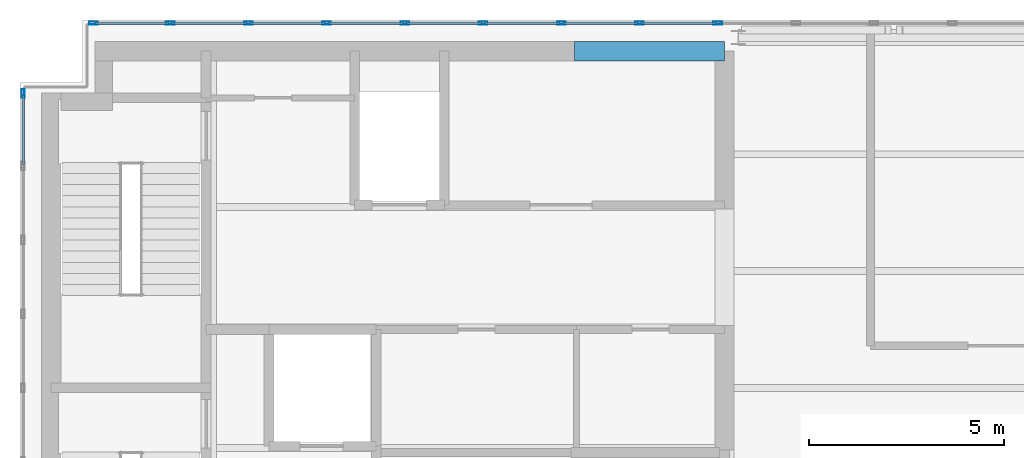
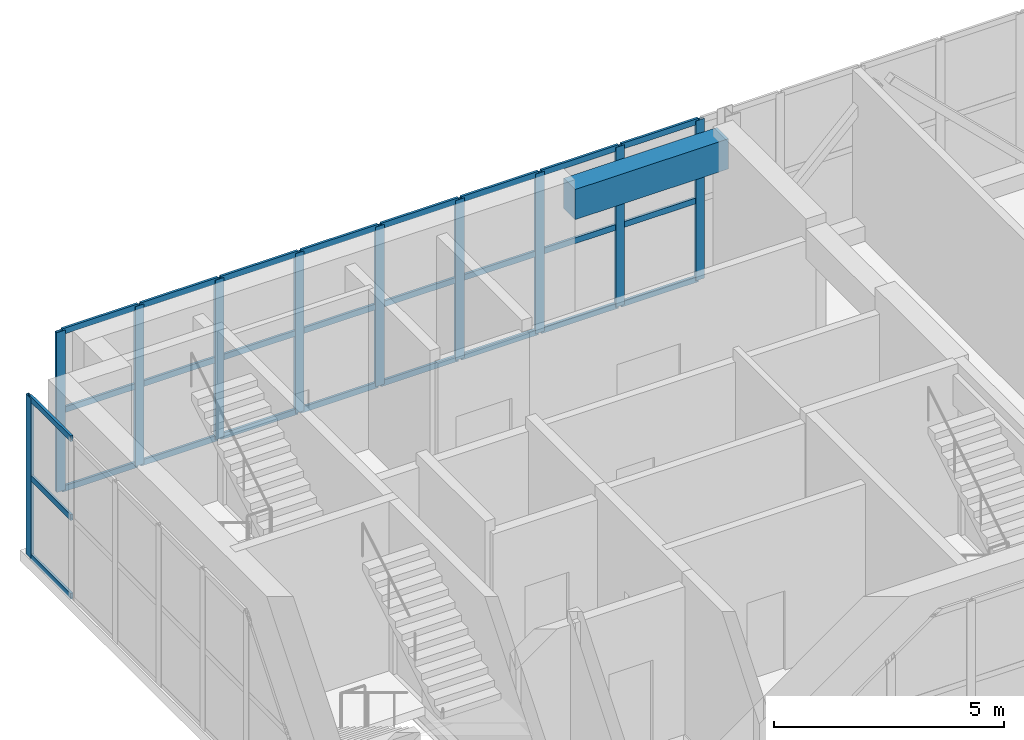
# One storey, part 10 of 21: 37 members, 1 beam, 2 elements without a shape of their own.
"""IFC4 building model written with IfcOpenShell, lengths in metres."""

from ifc_helpers import new_model, si_unit, direction, frame, origin, origin_2d, place, context, subcontext, project, spatial, rectangle, hollow_rectangle, extrude, material, layer, layer_set, material_profile, profile_set, type_object, element, aggregate, save


model = new_model("IFC4")

# Units and contexts
model_context = context("Model", 3, precision=1e-05, world=origin(), true_north=direction((0.0, 1.0)))
body_context = subcontext(model_context, "Body", "Model", "MODEL_VIEW")
ifc_project = project(units=[si_unit("LENGTHUNIT", "METRE"), si_unit("AREAUNIT", "SQUARE_METRE"), si_unit("VOLUMEUNIT", "CUBIC_METRE"), si_unit("PLANEANGLEUNIT", "RADIAN"), si_unit("MASSUNIT", "GRAM", prefix="KILO")], contexts=[model_context])

# Site, building, storey
site_placement = place(None, origin())
site = spatial("IfcSite", under=ifc_project, at=site_placement, CompositionType="ELEMENT")
building_placement = place(site_placement, origin())
building = spatial("IfcBuilding", under=site, at=building_placement, Name="Mawjdan Bourse Tower", CompositionType="ELEMENT")
storey_placement = place(building_placement, frame((0.0, 0.0, 317.699951171875)))
storey = spatial("IfcBuildingStorey", under=building, at=storey_placement, Name="L78", CompositionType="ELEMENT", Elevation=317.699951171875)

# Beam
ifc_material_1 = material(Name="Concrete C70/85", Category="concrete")
ifc_material_profile_1 = material_profile(ifc_material_1, rectangle(XDim=0.5, YDim=0.800048828125, at=origin_2d()), Name="RCB500X800")
ifc_profile_set_1 = profile_set([ifc_material_profile_1], Name="Concrete C70/85")
beam_type = type_object("IfcBeamType", Name="LNT-RCB500X800", PredefinedType="LINTEL", material=ifc_profile_set_1)
beam_placement = place(storey_placement, frame((19.800048828125, 20.64990234375, 3.840087890625), z_axis=(1.0, 0.0, 0.0), x_axis=(0.0, 1.0, 0.0)))
element("IfcBeam", 1, at=beam_placement, inside=storey, type_object=beam_type, Name="L78 Coupled Core Lintel CB-N1", PredefinedType="LINTEL", context=body_context, shape_type="SweptSolid", body=[
    extrude(rectangle(XDim=0.5, YDim=0.800048828125, at=origin_2d()), origin(), (0.0, 0.0, 1.0), 3.849853515625),
])

# Curtain wall, members
ifc_material_2 = material(Name="Thermally Broken Aluminium and Solar Glass", Category="aluminium")
ifc_layer = layer(ifc_material_2, 0.219970703125)
ifc_layer_set = layer_set([ifc_layer], Name="Thermally Broken Aluminium and Solar Glass")
curtain_wall_type = type_object("IfcCurtainWallType", Name="CW-CRN", PredefinedType="USERDEFINED", material=ifc_layer_set)
curtain_wall_1_placement = place(storey_placement, origin())
curtain_wall_1 = element("IfcCurtainWall", 2, at=curtain_wall_1_placement, inside=storey, type_object=curtain_wall_type, Name="L78 Lantern Crown North Curtain Wall", ObjectType="LANTERN GLAZED CROWN", PredefinedType="USERDEFINED")
ifc_material_3 = material(Name="Thermally Broken Anodised Aluminium", Category="aluminium")
ifc_material_profile_2 = material_profile(ifc_material_3, hollow_rectangle(XDim=0.074951171875, YDim=0.219970703125, WallThickness=0.0048828125, at=origin_2d()), Name="ALU-MUL-220X75")
ifc_profile_set_2 = profile_set([ifc_material_profile_2], Name="Thermally Broken Anodised Aluminium")
member_type_1 = type_object("IfcMemberType", Name="MUL-ALU-MUL-220X75", PredefinedType="MULLION", material=ifc_profile_set_2)
member_1_placement = place(storey_placement, frame((23.47607421875, 21.3701171875, 0.0), z_axis=(0.0, 0.0, 1.0), x_axis=(0.0, -1.0, 0.0)))
member_1 = element("IfcMember", 3, at=member_1_placement, type_object=member_type_1, Name="CW-CRN-L78-CRN-N mullion 14", PredefinedType="MULLION", context=body_context, shape_type="SweptSolid", body=[
    extrude(hollow_rectangle(XDim=0.074951171875, YDim=0.219970703125, WallThickness=0.0048828125, at=origin_2d()), origin(), (0.0, 0.0, 1.0), 4.239990234375),
])
member_2_placement = place(storey_placement, frame((21.466552734375, 21.3701171875, 0.0), z_axis=(0.0, 0.0, 1.0), x_axis=(0.0, -1.0, 0.0)))
member_2 = element("IfcMember", 4, at=member_2_placement, type_object=member_type_1, Name="CW-CRN-L78-CRN-N mullion 15", PredefinedType="MULLION", context=body_context, shape_type="SweptSolid", body=[
    extrude(hollow_rectangle(XDim=0.074951171875, YDim=0.219970703125, WallThickness=0.0048828125, at=origin_2d()), origin(), (0.0, 0.0, 1.0), 4.239990234375),
])
member_3_placement = place(storey_placement, frame((19.45703125, 21.3701171875, 0.0), z_axis=(0.0, 0.0, 1.0), x_axis=(0.0, -1.0, 0.0)))
member_3 = element("IfcMember", 5, at=member_3_placement, type_object=member_type_1, Name="CW-CRN-L78-CRN-N mullion 16", PredefinedType="MULLION", context=body_context, shape_type="SweptSolid", body=[
    extrude(hollow_rectangle(XDim=0.074951171875, YDim=0.219970703125, WallThickness=0.0048828125, at=origin_2d()), origin(), (0.0, 0.0, 1.0), 4.239990234375),
])
member_4_placement = place(storey_placement, frame((17.447509765625, 21.3701171875, 0.0), z_axis=(0.0, 0.0, 1.0), x_axis=(0.0, -1.0, 0.0)))
member_4 = element("IfcMember", 6, at=member_4_placement, type_object=member_type_1, Name="CW-CRN-L78-CRN-N mullion 17", PredefinedType="MULLION", context=body_context, shape_type="SweptSolid", body=[
    extrude(hollow_rectangle(XDim=0.074951171875, YDim=0.219970703125, WallThickness=0.0048828125, at=origin_2d()), origin(), (0.0, 0.0, 1.0), 4.239990234375),
])
member_5_placement = place(storey_placement, frame((15.43798828125, 21.3701171875, 0.0), z_axis=(0.0, 0.0, 1.0), x_axis=(0.0, -1.0, 0.0)))
member_5 = element("IfcMember", 7, at=member_5_placement, type_object=member_type_1, Name="CW-CRN-L78-CRN-N mullion 18", PredefinedType="MULLION", context=body_context, shape_type="SweptSolid", body=[
    extrude(hollow_rectangle(XDim=0.074951171875, YDim=0.219970703125, WallThickness=0.0048828125, at=origin_2d()), origin(), (0.0, 0.0, 1.0), 4.239990234375),
])
member_6_placement = place(storey_placement, frame((13.428466796875, 21.3701171875, 0.0), z_axis=(0.0, 0.0, 1.0), x_axis=(0.0, -1.0, 0.0)))
member_6 = element("IfcMember", 8, at=member_6_placement, type_object=member_type_1, Name="CW-CRN-L78-CRN-N mullion 19", PredefinedType="MULLION", context=body_context, shape_type="SweptSolid", body=[
    extrude(hollow_rectangle(XDim=0.074951171875, YDim=0.219970703125, WallThickness=0.0048828125, at=origin_2d()), origin(), (0.0, 0.0, 1.0), 4.239990234375),
])
member_7_placement = place(storey_placement, frame((11.4189453125, 21.3701171875, 0.0), z_axis=(0.0, 0.0, 1.0), x_axis=(0.0, -1.0, 0.0)))
member_7 = element("IfcMember", 9, at=member_7_placement, type_object=member_type_1, Name="CW-CRN-L78-CRN-N mullion 20", PredefinedType="MULLION", context=body_context, shape_type="SweptSolid", body=[
    extrude(hollow_rectangle(XDim=0.074951171875, YDim=0.219970703125, WallThickness=0.0048828125, at=origin_2d()), origin(), (0.0, 0.0, 1.0), 4.239990234375),
])
member_8_placement = place(storey_placement, frame((9.409423828125, 21.3701171875, 0.0), z_axis=(0.0, 0.0, 1.0), x_axis=(0.0, -1.0, 0.0)))
member_8 = element("IfcMember", 10, at=member_8_placement, type_object=member_type_1, Name="CW-CRN-L78-CRN-N mullion 21", PredefinedType="MULLION", context=body_context, shape_type="SweptSolid", body=[
    extrude(hollow_rectangle(XDim=0.074951171875, YDim=0.219970703125, WallThickness=0.0048828125, at=origin_2d()), origin(), (0.0, 0.0, 1.0), 4.239990234375),
])
member_9_placement = place(storey_placement, frame((7.4375, 21.3701171875, 0.0), z_axis=(0.0, 0.0, 1.0), x_axis=(0.0, -1.0, 0.0)))
member_9 = element("IfcMember", 11, at=member_9_placement, type_object=member_type_1, Name="CW-CRN-L78-CRN-N mullion 22", PredefinedType="MULLION", context=body_context, shape_type="SweptSolid", body=[
    extrude(hollow_rectangle(XDim=0.074951171875, YDim=0.219970703125, WallThickness=0.0048828125, at=origin_2d()), origin(), (0.0, 0.0, 1.0), 4.239990234375),
])

# Curtain wall, member
curtain_wall_2_placement = place(storey_placement, origin())
curtain_wall_2 = element("IfcCurtainWall", 12, at=curtain_wall_2_placement, inside=storey, type_object=curtain_wall_type, Name="L78 Lantern Crown West Curtain Wall", ObjectType="LANTERN GLAZED CROWN", PredefinedType="USERDEFINED")
member_10_placement = place(storey_placement, frame((5.6298828125, 19.5625, 0.0), z_axis=(0.0, 0.0, 1.0), x_axis=(1.0, 0.0, 0.0)))
member_10 = element("IfcMember", 13, at=member_10_placement, type_object=member_type_1, Name="CW-CRN-L78-CRN-W mullion 1", PredefinedType="MULLION", context=body_context, shape_type="SweptSolid", body=[
    extrude(hollow_rectangle(XDim=0.074951171875, YDim=0.219970703125, WallThickness=0.0048828125, at=origin_2d()), origin(), (0.0, 0.0, 1.0), 4.239990234375),
])

# Member
ifc_material_profile_3 = material_profile(ifc_material_3, hollow_rectangle(XDim=0.06005859375, YDim=0.155029296875, WallThickness=0.00390625, at=origin_2d()), Name="ALU-TRN-155X60")
ifc_profile_set_3 = profile_set([ifc_material_profile_3], Name="Thermally Broken Anodised Aluminium")
member_type_2 = type_object("IfcMemberType", Name="TRN-ALU-TRN-155X60", PredefinedType="USERDEFINED", material=ifc_profile_set_3)
member_11_placement = place(storey_placement, frame((23.438720703125, 21.3701171875, 0.030029296875), z_axis=(-1.0, 0.0, 0.0), x_axis=(0.0, -1.0, 0.0)))
member_11 = element("IfcMember", 14, at=member_11_placement, type_object=member_type_2, Name="CW-CRN-L78-CRN-N transom 14.1", ObjectType="TRANSOM", PredefinedType="USERDEFINED", context=body_context, shape_type="SweptSolid", body=[
    extrude(hollow_rectangle(XDim=0.06005859375, YDim=0.155029296875, WallThickness=0.00390625, at=origin_2d()), origin(), (0.0, 0.0, 1.0), 1.9345703125),
])

member_12_placement = place(storey_placement, frame((23.438720703125, 21.3701171875, 2.1201171875), z_axis=(-1.0, 0.0, 0.0), x_axis=(0.0, -1.0, 0.0)))
member_12 = element("IfcMember", 15, at=member_12_placement, type_object=member_type_2, Name="CW-CRN-L78-CRN-N transom 14.2", ObjectType="TRANSOM", PredefinedType="USERDEFINED", context=body_context, shape_type="SweptSolid", body=[
    extrude(hollow_rectangle(XDim=0.06005859375, YDim=0.155029296875, WallThickness=0.00390625, at=origin_2d()), origin(), (0.0, 0.0, 1.0), 1.9345703125),
])

member_13_placement = place(storey_placement, frame((23.438720703125, 21.3701171875, 4.2099609375), z_axis=(-1.0, 0.0, 0.0), x_axis=(0.0, -1.0, 0.0)))
member_13 = element("IfcMember", 16, at=member_13_placement, type_object=member_type_2, Name="CW-CRN-L78-CRN-N transom 14.3", ObjectType="TRANSOM", PredefinedType="USERDEFINED", context=body_context, shape_type="SweptSolid", body=[
    extrude(hollow_rectangle(XDim=0.06005859375, YDim=0.155029296875, WallThickness=0.00390625, at=origin_2d()), origin(), (0.0, 0.0, 1.0), 1.9345703125),
])

member_14_placement = place(storey_placement, frame((21.42919921875, 21.3701171875, 0.030029296875), z_axis=(-1.0, 0.0, 0.0), x_axis=(0.0, -1.0, 0.0)))
member_14 = element("IfcMember", 17, at=member_14_placement, type_object=member_type_2, Name="CW-CRN-L78-CRN-N transom 15.1", ObjectType="TRANSOM", PredefinedType="USERDEFINED", context=body_context, shape_type="SweptSolid", body=[
    extrude(hollow_rectangle(XDim=0.06005859375, YDim=0.155029296875, WallThickness=0.00390625, at=origin_2d()), origin(), (0.0, 0.0, 1.0), 1.9345703125),
])

member_15_placement = place(storey_placement, frame((21.42919921875, 21.3701171875, 2.1201171875), z_axis=(-1.0, 0.0, 0.0), x_axis=(0.0, -1.0, 0.0)))
member_15 = element("IfcMember", 18, at=member_15_placement, type_object=member_type_2, Name="CW-CRN-L78-CRN-N transom 15.2", ObjectType="TRANSOM", PredefinedType="USERDEFINED", context=body_context, shape_type="SweptSolid", body=[
    extrude(hollow_rectangle(XDim=0.06005859375, YDim=0.155029296875, WallThickness=0.00390625, at=origin_2d()), origin(), (0.0, 0.0, 1.0), 1.9345703125),
])

member_16_placement = place(storey_placement, frame((21.42919921875, 21.3701171875, 4.2099609375), z_axis=(-1.0, 0.0, 0.0), x_axis=(0.0, -1.0, 0.0)))
member_16 = element("IfcMember", 19, at=member_16_placement, type_object=member_type_2, Name="CW-CRN-L78-CRN-N transom 15.3", ObjectType="TRANSOM", PredefinedType="USERDEFINED", context=body_context, shape_type="SweptSolid", body=[
    extrude(hollow_rectangle(XDim=0.06005859375, YDim=0.155029296875, WallThickness=0.00390625, at=origin_2d()), origin(), (0.0, 0.0, 1.0), 1.9345703125),
])

member_17_placement = place(storey_placement, frame((19.419677734375, 21.3701171875, 0.030029296875), z_axis=(-1.0, 0.0, 0.0), x_axis=(0.0, -1.0, 0.0)))
member_17 = element("IfcMember", 20, at=member_17_placement, type_object=member_type_2, Name="CW-CRN-L78-CRN-N transom 16.1", ObjectType="TRANSOM", PredefinedType="USERDEFINED", context=body_context, shape_type="SweptSolid", body=[
    extrude(hollow_rectangle(XDim=0.06005859375, YDim=0.155029296875, WallThickness=0.00390625, at=origin_2d()), origin(), (0.0, 0.0, 1.0), 1.9345703125),
])

member_18_placement = place(storey_placement, frame((19.419677734375, 21.3701171875, 2.1201171875), z_axis=(-1.0, 0.0, 0.0), x_axis=(0.0, -1.0, 0.0)))
member_18 = element("IfcMember", 21, at=member_18_placement, type_object=member_type_2, Name="CW-CRN-L78-CRN-N transom 16.2", ObjectType="TRANSOM", PredefinedType="USERDEFINED", context=body_context, shape_type="SweptSolid", body=[
    extrude(hollow_rectangle(XDim=0.06005859375, YDim=0.155029296875, WallThickness=0.00390625, at=origin_2d()), origin(), (0.0, 0.0, 1.0), 1.9345703125),
])

member_19_placement = place(storey_placement, frame((19.419677734375, 21.3701171875, 4.2099609375), z_axis=(-1.0, 0.0, 0.0), x_axis=(0.0, -1.0, 0.0)))
member_19 = element("IfcMember", 22, at=member_19_placement, type_object=member_type_2, Name="CW-CRN-L78-CRN-N transom 16.3", ObjectType="TRANSOM", PredefinedType="USERDEFINED", context=body_context, shape_type="SweptSolid", body=[
    extrude(hollow_rectangle(XDim=0.06005859375, YDim=0.155029296875, WallThickness=0.00390625, at=origin_2d()), origin(), (0.0, 0.0, 1.0), 1.9345703125),
])

member_20_placement = place(storey_placement, frame((17.41015625, 21.3701171875, 0.030029296875), z_axis=(-1.0, 0.0, 0.0), x_axis=(0.0, -1.0, 0.0)))
member_20 = element("IfcMember", 23, at=member_20_placement, type_object=member_type_2, Name="CW-CRN-L78-CRN-N transom 17.1", ObjectType="TRANSOM", PredefinedType="USERDEFINED", context=body_context, shape_type="SweptSolid", body=[
    extrude(hollow_rectangle(XDim=0.06005859375, YDim=0.155029296875, WallThickness=0.00390625, at=origin_2d()), origin(), (0.0, 0.0, 1.0), 1.9345703125),
])

member_21_placement = place(storey_placement, frame((17.41015625, 21.3701171875, 2.1201171875), z_axis=(-1.0, 0.0, 0.0), x_axis=(0.0, -1.0, 0.0)))
member_21 = element("IfcMember", 24, at=member_21_placement, type_object=member_type_2, Name="CW-CRN-L78-CRN-N transom 17.2", ObjectType="TRANSOM", PredefinedType="USERDEFINED", context=body_context, shape_type="SweptSolid", body=[
    extrude(hollow_rectangle(XDim=0.06005859375, YDim=0.155029296875, WallThickness=0.00390625, at=origin_2d()), origin(), (0.0, 0.0, 1.0), 1.9345703125),
])

member_22_placement = place(storey_placement, frame((17.41015625, 21.3701171875, 4.2099609375), z_axis=(-1.0, 0.0, 0.0), x_axis=(0.0, -1.0, 0.0)))
member_22 = element("IfcMember", 25, at=member_22_placement, type_object=member_type_2, Name="CW-CRN-L78-CRN-N transom 17.3", ObjectType="TRANSOM", PredefinedType="USERDEFINED", context=body_context, shape_type="SweptSolid", body=[
    extrude(hollow_rectangle(XDim=0.06005859375, YDim=0.155029296875, WallThickness=0.00390625, at=origin_2d()), origin(), (0.0, 0.0, 1.0), 1.9345703125),
])

member_23_placement = place(storey_placement, frame((15.400634765625, 21.3701171875, 0.030029296875), z_axis=(-1.0, 0.0, 0.0), x_axis=(0.0, -1.0, 0.0)))
member_23 = element("IfcMember", 26, at=member_23_placement, type_object=member_type_2, Name="CW-CRN-L78-CRN-N transom 18.1", ObjectType="TRANSOM", PredefinedType="USERDEFINED", context=body_context, shape_type="SweptSolid", body=[
    extrude(hollow_rectangle(XDim=0.06005859375, YDim=0.155029296875, WallThickness=0.00390625, at=origin_2d()), origin(), (0.0, 0.0, 1.0), 1.9345703125),
])

member_24_placement = place(storey_placement, frame((15.400634765625, 21.3701171875, 2.1201171875), z_axis=(-1.0, 0.0, 0.0), x_axis=(0.0, -1.0, 0.0)))
member_24 = element("IfcMember", 27, at=member_24_placement, type_object=member_type_2, Name="CW-CRN-L78-CRN-N transom 18.2", ObjectType="TRANSOM", PredefinedType="USERDEFINED", context=body_context, shape_type="SweptSolid", body=[
    extrude(hollow_rectangle(XDim=0.06005859375, YDim=0.155029296875, WallThickness=0.00390625, at=origin_2d()), origin(), (0.0, 0.0, 1.0), 1.9345703125),
])

member_25_placement = place(storey_placement, frame((15.400634765625, 21.3701171875, 4.2099609375), z_axis=(-1.0, 0.0, 0.0), x_axis=(0.0, -1.0, 0.0)))
member_25 = element("IfcMember", 28, at=member_25_placement, type_object=member_type_2, Name="CW-CRN-L78-CRN-N transom 18.3", ObjectType="TRANSOM", PredefinedType="USERDEFINED", context=body_context, shape_type="SweptSolid", body=[
    extrude(hollow_rectangle(XDim=0.06005859375, YDim=0.155029296875, WallThickness=0.00390625, at=origin_2d()), origin(), (0.0, 0.0, 1.0), 1.9345703125),
])

member_26_placement = place(storey_placement, frame((13.39111328125, 21.3701171875, 0.030029296875), z_axis=(-1.0, 0.0, 0.0), x_axis=(0.0, -1.0, 0.0)))
member_26 = element("IfcMember", 29, at=member_26_placement, type_object=member_type_2, Name="CW-CRN-L78-CRN-N transom 19.1", ObjectType="TRANSOM", PredefinedType="USERDEFINED", context=body_context, shape_type="SweptSolid", body=[
    extrude(hollow_rectangle(XDim=0.06005859375, YDim=0.155029296875, WallThickness=0.00390625, at=origin_2d()), origin(), (0.0, 0.0, 1.0), 1.9345703125),
])

member_27_placement = place(storey_placement, frame((13.39111328125, 21.3701171875, 2.1201171875), z_axis=(-1.0, 0.0, 0.0), x_axis=(0.0, -1.0, 0.0)))
member_27 = element("IfcMember", 30, at=member_27_placement, type_object=member_type_2, Name="CW-CRN-L78-CRN-N transom 19.2", ObjectType="TRANSOM", PredefinedType="USERDEFINED", context=body_context, shape_type="SweptSolid", body=[
    extrude(hollow_rectangle(XDim=0.06005859375, YDim=0.155029296875, WallThickness=0.00390625, at=origin_2d()), origin(), (0.0, 0.0, 1.0), 1.9345703125),
])

member_28_placement = place(storey_placement, frame((13.39111328125, 21.3701171875, 4.2099609375), z_axis=(-1.0, 0.0, 0.0), x_axis=(0.0, -1.0, 0.0)))
member_28 = element("IfcMember", 31, at=member_28_placement, type_object=member_type_2, Name="CW-CRN-L78-CRN-N transom 19.3", ObjectType="TRANSOM", PredefinedType="USERDEFINED", context=body_context, shape_type="SweptSolid", body=[
    extrude(hollow_rectangle(XDim=0.06005859375, YDim=0.155029296875, WallThickness=0.00390625, at=origin_2d()), origin(), (0.0, 0.0, 1.0), 1.9345703125),
])

member_29_placement = place(storey_placement, frame((11.381591796875, 21.3701171875, 0.030029296875), z_axis=(-1.0, 0.0, 0.0), x_axis=(0.0, -1.0, 0.0)))
member_29 = element("IfcMember", 32, at=member_29_placement, type_object=member_type_2, Name="CW-CRN-L78-CRN-N transom 20.1", ObjectType="TRANSOM", PredefinedType="USERDEFINED", context=body_context, shape_type="SweptSolid", body=[
    extrude(hollow_rectangle(XDim=0.06005859375, YDim=0.155029296875, WallThickness=0.00390625, at=origin_2d()), origin(), (0.0, 0.0, 1.0), 1.9345703125),
])

member_30_placement = place(storey_placement, frame((11.381591796875, 21.3701171875, 2.1201171875), z_axis=(-1.0, 0.0, 0.0), x_axis=(0.0, -1.0, 0.0)))
member_30 = element("IfcMember", 33, at=member_30_placement, type_object=member_type_2, Name="CW-CRN-L78-CRN-N transom 20.2", ObjectType="TRANSOM", PredefinedType="USERDEFINED", context=body_context, shape_type="SweptSolid", body=[
    extrude(hollow_rectangle(XDim=0.06005859375, YDim=0.155029296875, WallThickness=0.00390625, at=origin_2d()), origin(), (0.0, 0.0, 1.0), 1.9345703125),
])

member_31_placement = place(storey_placement, frame((11.381591796875, 21.3701171875, 4.2099609375), z_axis=(-1.0, 0.0, 0.0), x_axis=(0.0, -1.0, 0.0)))
member_31 = element("IfcMember", 34, at=member_31_placement, type_object=member_type_2, Name="CW-CRN-L78-CRN-N transom 20.3", ObjectType="TRANSOM", PredefinedType="USERDEFINED", context=body_context, shape_type="SweptSolid", body=[
    extrude(hollow_rectangle(XDim=0.06005859375, YDim=0.155029296875, WallThickness=0.00390625, at=origin_2d()), origin(), (0.0, 0.0, 1.0), 1.9345703125),
])

member_32_placement = place(storey_placement, frame((9.3720703125, 21.3701171875, 0.030029296875), z_axis=(-1.0, 0.0, 0.0), x_axis=(0.0, -1.0, 0.0)))
member_32 = element("IfcMember", 35, at=member_32_placement, type_object=member_type_2, Name="CW-CRN-L78-CRN-N transom 21.1", ObjectType="TRANSOM", PredefinedType="USERDEFINED", context=body_context, shape_type="SweptSolid", body=[
    extrude(hollow_rectangle(XDim=0.06005859375, YDim=0.155029296875, WallThickness=0.00390625, at=origin_2d()), origin(), (0.0, 0.0, 1.0), 1.89697265625),
])

member_33_placement = place(storey_placement, frame((9.3720703125, 21.3701171875, 2.1201171875), z_axis=(-1.0, 0.0, 0.0), x_axis=(0.0, -1.0, 0.0)))
member_33 = element("IfcMember", 36, at=member_33_placement, type_object=member_type_2, Name="CW-CRN-L78-CRN-N transom 21.2", ObjectType="TRANSOM", PredefinedType="USERDEFINED", context=body_context, shape_type="SweptSolid", body=[
    extrude(hollow_rectangle(XDim=0.06005859375, YDim=0.155029296875, WallThickness=0.00390625, at=origin_2d()), origin(), (0.0, 0.0, 1.0), 1.89697265625),
])

member_34_placement = place(storey_placement, frame((9.3720703125, 21.3701171875, 4.2099609375), z_axis=(-1.0, 0.0, 0.0), x_axis=(0.0, -1.0, 0.0)))
member_34 = element("IfcMember", 37, at=member_34_placement, type_object=member_type_2, Name="CW-CRN-L78-CRN-N transom 21.3", ObjectType="TRANSOM", PredefinedType="USERDEFINED", context=body_context, shape_type="SweptSolid", body=[
    extrude(hollow_rectangle(XDim=0.06005859375, YDim=0.155029296875, WallThickness=0.00390625, at=origin_2d()), origin(), (0.0, 0.0, 1.0), 1.89697265625),
])

aggregate(curtain_wall_1, [member_1, member_2, member_3, member_4, member_5, member_6, member_7, member_8, member_9, member_11, member_12, member_13, member_14, member_15, member_16, member_17, member_18, member_19, member_20, member_21, member_22, member_23, member_24, member_25, member_26, member_27, member_28, member_29, member_30, member_31, member_32, member_33, member_34])

member_35_placement = place(storey_placement, frame((5.6298828125, 19.52490234375, 0.030029296875), z_axis=(0.0, -1.0, 0.0), x_axis=(1.0, 0.0, 0.0)))
member_35 = element("IfcMember", 38, at=member_35_placement, type_object=member_type_2, Name="CW-CRN-L78-CRN-W transom 1.1", ObjectType="TRANSOM", PredefinedType="USERDEFINED", context=body_context, shape_type="SweptSolid", body=[
    extrude(hollow_rectangle(XDim=0.06005859375, YDim=0.155029296875, WallThickness=0.00390625, at=origin_2d()), origin(), (0.0, 0.0, 1.0), 1.787353515625),
])

member_36_placement = place(storey_placement, frame((5.6298828125, 19.52490234375, 2.1201171875), z_axis=(0.0, -1.0, 0.0), x_axis=(1.0, 0.0, 0.0)))
member_36 = element("IfcMember", 39, at=member_36_placement, type_object=member_type_2, Name="CW-CRN-L78-CRN-W transom 1.2", ObjectType="TRANSOM", PredefinedType="USERDEFINED", context=body_context, shape_type="SweptSolid", body=[
    extrude(hollow_rectangle(XDim=0.06005859375, YDim=0.155029296875, WallThickness=0.00390625, at=origin_2d()), origin(), (0.0, 0.0, 1.0), 1.787353515625),
])

member_37_placement = place(storey_placement, frame((5.6298828125, 19.52490234375, 4.2099609375), z_axis=(0.0, -1.0, 0.0), x_axis=(1.0, 0.0, 0.0)))
member_37 = element("IfcMember", 40, at=member_37_placement, type_object=member_type_2, Name="CW-CRN-L78-CRN-W transom 1.3", ObjectType="TRANSOM", PredefinedType="USERDEFINED", context=body_context, shape_type="SweptSolid", body=[
    extrude(hollow_rectangle(XDim=0.06005859375, YDim=0.155029296875, WallThickness=0.00390625, at=origin_2d()), origin(), (0.0, 0.0, 1.0), 1.787353515625),
])

aggregate(curtain_wall_2, [member_10, member_35, member_36, member_37])

save(model, "model.ifc")
